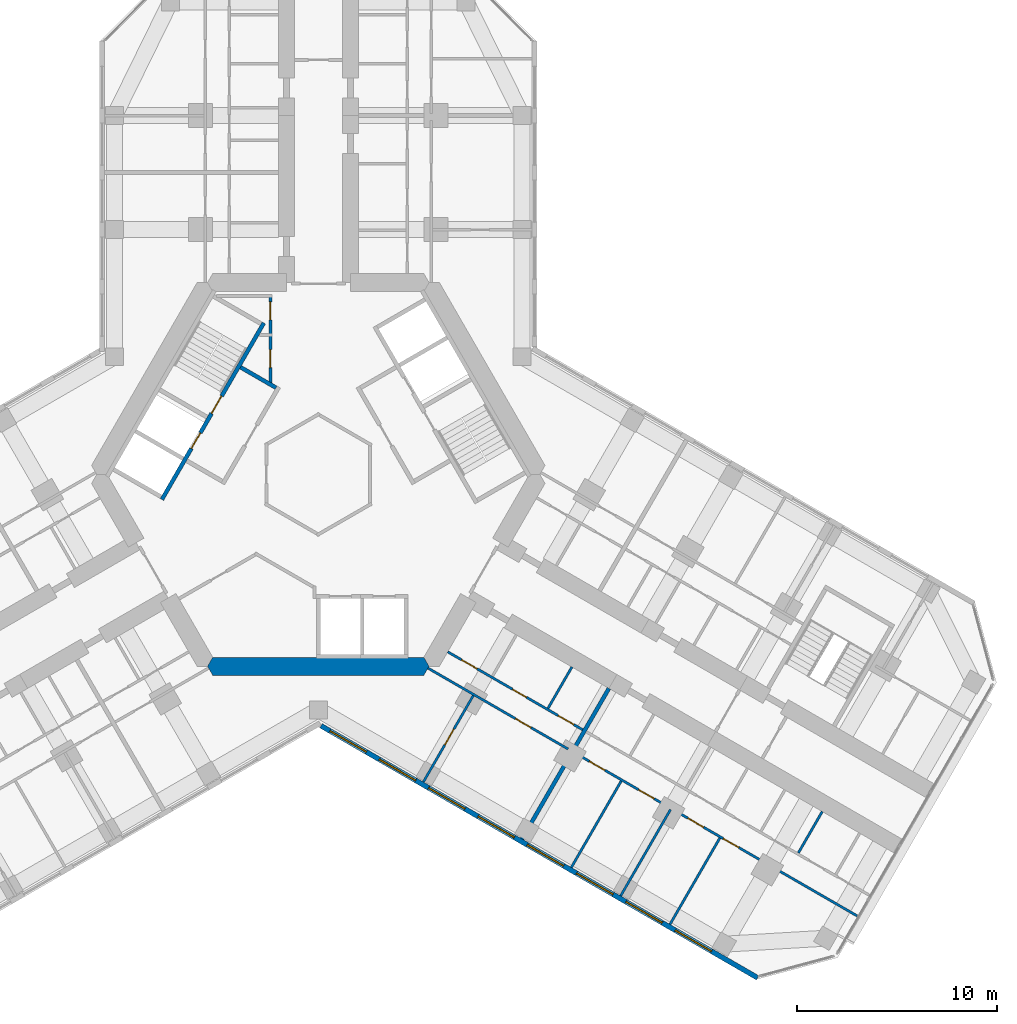
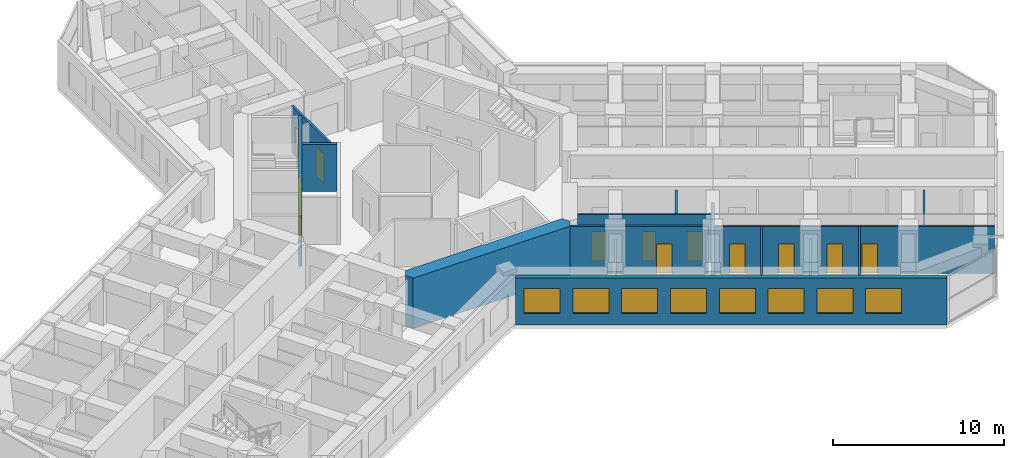
# One storey, part 13 of 19: 15 walls, 13 doors, 8 windows, 21 openings.
"""IFC4 building model written with IfcOpenShell, lengths in metres."""

from ifc_helpers import new_model, si_unit, direction, frame, frame_2d, origin, place, context, subcontext, project, spatial, polyline, rectangle, outline, extrude, material, layer, layer_set, type_object, element, fill, save


model = new_model("IFC4")

# Units and contexts
model_context = context("Model", 3, precision=1e-05, world=origin(), true_north=direction((0.0, 1.0)))
body_context = subcontext(model_context, "Body", "Model", "MODEL_VIEW")
ifc_project = project(units=[si_unit("LENGTHUNIT", "METRE"), si_unit("AREAUNIT", "SQUARE_METRE"), si_unit("VOLUMEUNIT", "CUBIC_METRE"), si_unit("PLANEANGLEUNIT", "RADIAN"), si_unit("MASSUNIT", "GRAM", prefix="KILO")], contexts=[model_context])

# Site, building, storey
site_placement = place(None, origin())
site = spatial("IfcSite", under=ifc_project, at=site_placement, CompositionType="ELEMENT")
building_placement = place(site_placement, origin())
building = spatial("IfcBuilding", under=site, at=building_placement, Name="Kosmar Iwan School Tower", CompositionType="ELEMENT")
storey_placement = place(building_placement, frame((0.0, 0.0, 134.60009765625)))
storey = spatial("IfcBuildingStorey", under=building, at=storey_placement, Name="L33", CompositionType="ELEMENT", Elevation=134.60009765625)

# Wall, openings, doors
ifc_material_1 = material(Name="Gypsum board on steel studs, fire-rated", Category="steel")
ifc_layer_1 = layer(ifc_material_1, 0.14990234375)
ifc_layer_set_1 = layer_set([ifc_layer_1], Name="Core room partition 150")
wall_type_1 = type_object("IfcWallType", Name="Core room partition 150", PredefinedType="PARTITIONING", material=ifc_layer_set_1)
wall_1_placement = place(storey_placement, frame((-2.39990234375, 9.014892578125, 0.0), z_axis=(0.0, 0.0, 1.0), x_axis=(0.0, -1.0, 0.0)))
wall_1 = element("IfcWall", 1, at=wall_1_placement, inside=storey, type_object=wall_type_1, Name="Core room partition L33-CW1", PredefinedType="PARTITIONING", context=body_context, shape_type="SweptSolid", body=[
    extrude(rectangle(XDim=4.484130859375, YDim=0.14990234375, at=frame_2d((2.2421875, 0.0))), origin(), (0.0, 0.0, 1.0), 3.349853515625),
])
opening_1_placement = place(wall_1_placement, frame((0.375, 0.0, 0.0)))
opening_1 = element("IfcOpeningElement", 2, at=opening_1_placement, cuts=wall_1, Name="Opening D14", PredefinedType="OPENING", context=body_context, shape_type="SweptSolid", body=[
    extrude(rectangle(XDim=0.89990234375, YDim=2.10009765625, at=frame_2d((0.449951171875, 1.050048828125))), frame((0.0, 0.0869140625, 0.0), z_axis=(0.0, -1.0, 0.0), x_axis=(1.0, 0.0, 0.0)), (0.0, 0.0, 1.0), 0.173828125),
])
opening_2_placement = place(wall_1_placement, frame((2.77490234375, 0.0, 0.0)))
opening_2 = element("IfcOpeningElement", 3, at=opening_2_placement, cuts=wall_1, Name="Opening D14", PredefinedType="OPENING", context=body_context, shape_type="SweptSolid", body=[
    extrude(rectangle(XDim=0.89990234375, YDim=2.10009765625, at=frame_2d((0.449951171875, 1.050048828125))), frame((0.0, 0.0869140625, 0.0), z_axis=(0.0, -1.0, 0.0), x_axis=(1.0, 0.0, 0.0)), (0.0, 0.0, 1.0), 0.173828125),
])
ifc_material_2 = material(Name="Timber fire door in steel frame", Category="steel")
door_type_1 = type_object("IfcDoorType", Name="Core room door 900x2100", OperationType="SINGLE_SWING_LEFT", PredefinedType="DOOR", material=ifc_material_2)
door_1_placement = place(opening_1_placement, origin())
door_1 = element("IfcDoor", 4, at=door_1_placement, inside=storey, type_object=door_type_1, Name="Electrical riser and switch room door L33 1", OperationType="SINGLE_SWING_LEFT", OverallHeight=2.10009765625, OverallWidth=0.89990234375, PredefinedType="DOOR", context=body_context, shape_type="SweptSolid", body=[
    extrude(rectangle(XDim=0.89990234375, YDim=2.10009765625, at=frame_2d((0.449951171875, 1.050048828125))), frame((0.0, 0.02490234375, 0.0), z_axis=(0.0, -1.0, 0.0), x_axis=(1.0, 0.0, 0.0)), (0.0, 0.0, 1.0), 0.050048828125),
])
fill(opening_1, door_1)
door_2_placement = place(opening_2_placement, origin())
door_2 = element("IfcDoor", 5, at=door_2_placement, inside=storey, type_object=door_type_1, Name="Plumbing and wet riser door L33 2", OperationType="SINGLE_SWING_RIGHT", OverallHeight=2.10009765625, OverallWidth=0.89990234375, PredefinedType="DOOR", context=body_context, shape_type="SweptSolid", body=[
    extrude(rectangle(XDim=0.89990234375, YDim=2.10009765625, at=frame_2d((0.449951171875, 1.050048828125))), frame((0.0, 0.02490234375, 0.0), z_axis=(0.0, -1.0, 0.0), x_axis=(1.0, 0.0, 0.0)), (0.0, 0.0, 1.0), 0.050048828125),
])
fill(opening_2, door_2)

# Wall
ifc_material_3 = material(Name="Concrete C50/60", Category="concrete")
ifc_layer_2 = layer(ifc_material_3, 0.89990234375)
ifc_layer_set_2 = layer_set([ifc_layer_2], Name="Core wall 900")
wall_type_2 = type_object("IfcWallType", Name="Core wall 900", PredefinedType="SHEAR", material=ifc_layer_set_2)
wall_2_placement = place(storey_placement, origin())
element("IfcWall", 6, at=wall_2_placement, inside=storey, type_object=wall_type_2, Name="Core wall F270", PredefinedType="SHEAR", context=body_context, shape_type="SweptSolid", body=[
    extrude(outline(polyline([(-5.28271484375, -10.050048828125), (5.28271484375, -10.050048828125), (5.54248046875, -9.60009765625), (5.28271484375, -9.14990234375), (-5.28271484375, -9.14990234375), (-5.54248046875, -9.60009765625), (-5.28271484375, -10.050048828125)])), origin(), (0.0, 0.0, 1.0), 3.599853515625),
])

# Wall, openings, doors
ifc_material_4 = material(Name="Gypsum board on steel studs", Category="steel")
ifc_layer_3 = layer(ifc_material_4, 0.1201171875)
ifc_layer_set_3 = layer_set([ifc_layer_3], Name="Dwelling partition 120")
wall_type_3 = type_object("IfcWallType", Name="Dwelling partition 120", PredefinedType="PARTITIONING", material=ifc_layer_set_3)
wall_3_placement = place(storey_placement, frame((6.478515625, -8.87890625, 0.0), z_axis=(0.0, 0.0, 1.0), x_axis=(0.866034953203, -0.499983459557, 0.0)))
wall_3 = element("IfcWall", 7, at=wall_3_placement, inside=storey, type_object=wall_type_3, Name="Partition L33-CR1-W1", PredefinedType="PARTITIONING", context=body_context, shape_type="SweptSolid", body=[
    extrude(rectangle(XDim=7.800048828125, YDim=0.1201171875, at=frame_2d((3.89990234375, 0.0))), origin(), (0.0, 0.0, 1.0), 3.349853515625),
])
opening_3_placement = place(wall_3_placement, frame((0.800048828125, 0.0, 0.0)))
opening_3 = element("IfcOpeningElement", 8, at=opening_3_placement, cuts=wall_3, Name="Opening D2", PredefinedType="OPENING", context=body_context, shape_type="SweptSolid", body=[
    extrude(rectangle(XDim=0.89990234375, YDim=2.10009765625, at=frame_2d((0.449951171875, 1.050048828125))), frame((0.0, 0.072021484375, 0.0), z_axis=(0.0, -1.0, 0.0), x_axis=(1.0, 0.0, 0.0)), (0.0, 0.0, 1.0), 0.14404296875),
])
opening_4_placement = place(wall_3_placement, frame((3.755126953125, 0.0, 0.0)))
opening_4 = element("IfcOpeningElement", 9, at=opening_4_placement, cuts=wall_3, Name="Opening D3", PredefinedType="OPENING", context=body_context, shape_type="SweptSolid", body=[
    extrude(rectangle(XDim=0.800048828125, YDim=2.10009765625, at=frame_2d((0.39990234375, 1.050048828125))), frame((0.0, 0.072021484375, 0.0), z_axis=(0.0, -1.0, 0.0), x_axis=(1.0, 0.0, 0.0)), (0.0, 0.0, 1.0), 0.14404296875),
])
opening_5_placement = place(wall_3_placement, frame((6.380126953125, 0.0, 0.0)))
opening_5 = element("IfcOpeningElement", 10, at=opening_5_placement, cuts=wall_3, Name="Opening D2", PredefinedType="OPENING", context=body_context, shape_type="SweptSolid", body=[
    extrude(rectangle(XDim=0.89990234375, YDim=2.10009765625, at=frame_2d((0.449951171875, 1.050048828125))), frame((0.0, 0.072021484375, 0.0), z_axis=(0.0, -1.0, 0.0), x_axis=(1.0, 0.0, 0.0)), (0.0, 0.0, 1.0), 0.14404296875),
])
ifc_material_5 = material(Name="Timber door in timber frame", Category="wood")
door_type_2 = type_object("IfcDoorType", Name="Internal door 900x2100", OperationType="SINGLE_SWING_LEFT", PredefinedType="DOOR", material=ifc_material_5)
door_3_placement = place(opening_3_placement, origin())
door_3 = element("IfcDoor", 11, at=door_3_placement, inside=storey, type_object=door_type_2, Name="Entrance hall door L33-CR1-S1", OperationType="SINGLE_SWING_RIGHT", OverallHeight=2.10009765625, OverallWidth=0.89990234375, PredefinedType="DOOR", context=body_context, shape_type="SweptSolid", body=[
    extrude(rectangle(XDim=0.89990234375, YDim=2.10009765625, at=frame_2d((0.449951171875, 1.050048828125))), frame((0.0, 0.02490234375, 0.0), z_axis=(0.0, -1.0, 0.0), x_axis=(1.0, 0.0, 0.0)), (0.0, 0.0, 1.0), 0.050048828125),
])
fill(opening_3, door_3)
door_4_placement = place(opening_5_placement, origin())
door_4 = element("IfcDoor", 12, at=door_4_placement, inside=storey, type_object=door_type_2, Name="Pantry door L33-CR1-S3", OperationType="SINGLE_SWING_RIGHT", OverallHeight=2.10009765625, OverallWidth=0.89990234375, PredefinedType="DOOR", context=body_context, shape_type="SweptSolid", body=[
    extrude(rectangle(XDim=0.89990234375, YDim=2.10009765625, at=frame_2d((0.449951171875, 1.050048828125))), frame((0.0, 0.02490234375, 0.0), z_axis=(0.0, -1.0, 0.0), x_axis=(1.0, 0.0, 0.0)), (0.0, 0.0, 1.0), 0.050048828125),
])
fill(opening_5, door_4)
ifc_material_6 = material(Name="Timber door in timber frame", Category="wood")
door_type_3 = type_object("IfcDoorType", Name="Sanitary room door 800x2100", OperationType="SINGLE_SWING_LEFT", PredefinedType="DOOR", material=ifc_material_6)
door_5_placement = place(opening_4_placement, origin())
door_5 = element("IfcDoor", 13, at=door_5_placement, inside=storey, type_object=door_type_3, Name="Bathroom door L33-CR1-S2", OperationType="SINGLE_SWING_LEFT", OverallHeight=2.10009765625, OverallWidth=0.800048828125, PredefinedType="DOOR", context=body_context, shape_type="SweptSolid", body=[
    extrude(rectangle(XDim=0.800048828125, YDim=2.10009765625, at=frame_2d((0.39990234375, 1.050048828125))), frame((0.0, 0.02490234375, 0.0), z_axis=(0.0, -1.0, 0.0), x_axis=(1.0, 0.0, 0.0)), (0.0, 0.0, 1.0), 0.050048828125),
])
fill(opening_4, door_5)

# Wall, opening, door
wall_4_placement = place(storey_placement, frame((5.48876953125, -9.693115234375, 0.0), z_axis=(0.0, 0.0, 1.0), x_axis=(0.866025472755, -0.499999880539, 0.0)))
wall_4 = element("IfcWall", 14, at=wall_4_placement, inside=storey, type_object=wall_type_3, Name="Partition L33-CR1-W2", PredefinedType="PARTITIONING", context=body_context, shape_type="SweptSolid", body=[
    extrude(rectangle(XDim=8.10009765625, YDim=0.1201171875, at=frame_2d((4.050048828125, 0.0))), origin(), (0.0, 0.0, 1.0), 3.349853515625),
])
opening_6_placement = place(wall_4_placement, frame((5.050048828125, 0.0, 0.0)))
opening_6 = element("IfcOpeningElement", 15, at=opening_6_placement, cuts=wall_4, Name="Opening D2", PredefinedType="OPENING", context=body_context, shape_type="SweptSolid", body=[
    extrude(rectangle(XDim=0.89990234375, YDim=2.10009765625, at=frame_2d((0.449951171875, 1.050048828125))), frame((0.0, 0.072021484375, 0.0), z_axis=(0.0, -1.0, 0.0), x_axis=(1.0, 0.0, 0.0)), (0.0, 0.0, 1.0), 0.14404296875),
])
door_6_placement = place(opening_6_placement, origin())
door_6 = element("IfcDoor", 16, at=door_6_placement, inside=storey, type_object=door_type_2, Name="Studio living room door L33-CR1-F2", OperationType="SINGLE_SWING_RIGHT", OverallHeight=2.10009765625, OverallWidth=0.89990234375, PredefinedType="DOOR", context=body_context, shape_type="SweptSolid", body=[
    extrude(rectangle(XDim=0.89990234375, YDim=2.10009765625, at=frame_2d((0.449951171875, 1.050048828125))), frame((0.0, 0.02490234375, 0.0), z_axis=(0.0, -1.0, 0.0), x_axis=(1.0, 0.0, 0.0)), (0.0, 0.0, 1.0), 0.050048828125),
])
fill(opening_6, door_6)

wall_5_placement = place(storey_placement, frame((7.75390625, -11.070068359375, 0.0), z_axis=(0.0, 0.0, 1.0), x_axis=(-0.500011847778, -0.866018563358, 0.0)))
wall_5 = element("IfcWall", 17, at=wall_5_placement, inside=storey, type_object=wall_type_3, Name="Partition L33-CR1-X1", PredefinedType="PARTITIONING", context=body_context, shape_type="SweptSolid", body=[
    extrude(rectangle(XDim=4.990234375, YDim=0.1201171875, at=frame_2d((2.4951171875, 0.0))), origin(), (0.0, 0.0, 1.0), 2.449951171875),
])
opening_7_placement = place(wall_5_placement, frame((1.93994140625, 0.0, 0.0)))
opening_7 = element("IfcOpeningElement", 18, at=opening_7_placement, cuts=wall_5, Name="Opening D2", PredefinedType="OPENING", context=body_context, shape_type="SweptSolid", body=[
    extrude(rectangle(XDim=0.89990234375, YDim=2.10009765625, at=frame_2d((0.449951171875, 1.050048828125))), frame((0.0, 0.072021484375, 0.0), z_axis=(0.0, -1.0, 0.0), x_axis=(1.0, 0.0, 0.0)), (0.0, 0.0, 1.0), 0.14404296875),
])
door_7_placement = place(opening_7_placement, origin())
door_7 = element("IfcDoor", 19, at=door_7_placement, inside=storey, type_object=door_type_2, Name="Kitchen and dining room door L33-CR1-F1", OperationType="SINGLE_SWING_LEFT", OverallHeight=2.10009765625, OverallWidth=0.89990234375, PredefinedType="DOOR", context=body_context, shape_type="SweptSolid", body=[
    extrude(rectangle(XDim=0.89990234375, YDim=2.10009765625, at=frame_2d((0.449951171875, 1.050048828125))), frame((0.0, 0.02490234375, 0.0), z_axis=(0.0, -1.0, 0.0), x_axis=(1.0, 0.0, 0.0)), (0.0, 0.0, 1.0), 0.050048828125),
])
fill(opening_7, door_7)

# Wall
wall_6_placement = place(storey_placement, frame((12.69189453125, -9.636962890625, 0.0), z_axis=(0.0, 0.0, 1.0), x_axis=(-0.500017192868, -0.86601547725, 0.0)))
element("IfcWall", 20, at=wall_6_placement, inside=storey, type_object=wall_type_3, Name="Partition L33-CR1-Y2", PredefinedType="PARTITIONING", context=body_context, shape_type="SweptSolid", body=[
    extrude(rectangle(XDim=2.39013671875, YDim=0.1201171875, at=frame_2d((1.195068359375, 0.0))), origin(), (0.0, 0.0, 1.0), 3.349853515625),
])

# Wall, openings, doors
wall_7_placement = place(storey_placement, frame((12.806640625, -13.91796875, 0.0), z_axis=(0.0, 0.0, 1.0), x_axis=(0.866023907196, -0.500002592159, 0.0)))
wall_7 = element("IfcWall", 21, at=wall_7_placement, inside=storey, type_object=wall_type_3, Name="Partition L33-CR2-W2", PredefinedType="PARTITIONING", context=body_context, shape_type="SweptSolid", body=[
    extrude(rectangle(XDim=16.34521484375, YDim=0.1201171875, at=frame_2d((8.172607421875, 0.0))), origin(), (0.0, 0.0, 1.0), 3.349853515625),
])
opening_8_placement = place(wall_7_placement, frame((0.875, 0.0, 0.0)))
opening_8 = element("IfcOpeningElement", 22, at=opening_8_placement, cuts=wall_7, Name="Opening D2", PredefinedType="OPENING", context=body_context, shape_type="SweptSolid", body=[
    extrude(rectangle(XDim=0.89990234375, YDim=2.10009765625, at=frame_2d((0.449951171875, 1.050048828125))), frame((0.0, 0.072021484375, 0.0), z_axis=(0.0, -1.0, 0.0), x_axis=(1.0, 0.0, 0.0)), (0.0, 0.0, 1.0), 0.14404296875),
])
opening_9_placement = place(wall_7_placement, frame((3.72509765625, 0.0, 0.0)))
opening_9 = element("IfcOpeningElement", 23, at=opening_9_placement, cuts=wall_7, Name="Opening D2", PredefinedType="OPENING", context=body_context, shape_type="SweptSolid", body=[
    extrude(rectangle(XDim=0.89990234375, YDim=2.10009765625, at=frame_2d((0.449951171875, 1.050048828125))), frame((0.0, 0.072021484375, 0.0), z_axis=(0.0, -1.0, 0.0), x_axis=(1.0, 0.0, 0.0)), (0.0, 0.0, 1.0), 0.14404296875),
])
opening_10_placement = place(wall_7_placement, frame((6.574951171875, 0.0, 0.0)))
opening_10 = element("IfcOpeningElement", 24, at=opening_10_placement, cuts=wall_7, Name="Opening D2", PredefinedType="OPENING", context=body_context, shape_type="SweptSolid", body=[
    extrude(rectangle(XDim=0.89990234375, YDim=2.10009765625, at=frame_2d((0.449951171875, 1.050048828125))), frame((0.0, 0.072021484375, 0.0), z_axis=(0.0, -1.0, 0.0), x_axis=(1.0, 0.0, 0.0)), (0.0, 0.0, 1.0), 0.14404296875),
])
opening_11_placement = place(wall_7_placement, frame((8.610107421875, 0.0, 0.0)))
opening_11 = element("IfcOpeningElement", 25, at=opening_11_placement, cuts=wall_7, Name="Opening D2", PredefinedType="OPENING", context=body_context, shape_type="SweptSolid", body=[
    extrude(rectangle(XDim=0.89990234375, YDim=2.10009765625, at=frame_2d((0.449951171875, 1.050048828125))), frame((0.0, 0.072021484375, 0.0), z_axis=(0.0, -1.0, 0.0), x_axis=(1.0, 0.0, 0.0)), (0.0, 0.0, 1.0), 0.14404296875),
])
door_8_placement = place(opening_8_placement, origin())
door_8 = element("IfcDoor", 26, at=door_8_placement, inside=storey, type_object=door_type_2, Name="Bedroom 1 door L33-CR2-F1", OperationType="SINGLE_SWING_LEFT", OverallHeight=2.10009765625, OverallWidth=0.89990234375, PredefinedType="DOOR", context=body_context, shape_type="SweptSolid", body=[
    extrude(rectangle(XDim=0.89990234375, YDim=2.10009765625, at=frame_2d((0.449951171875, 1.050048828125))), frame((0.0, 0.02490234375, 0.0), z_axis=(0.0, -1.0, 0.0), x_axis=(1.0, 0.0, 0.0)), (0.0, 0.0, 1.0), 0.050048828125),
])
fill(opening_8, door_8)
door_9_placement = place(opening_9_placement, origin())
door_9 = element("IfcDoor", 27, at=door_9_placement, inside=storey, type_object=door_type_2, Name="Kitchen and dining room door L33-CR2-F2", OperationType="SINGLE_SWING_LEFT", OverallHeight=2.10009765625, OverallWidth=0.89990234375, PredefinedType="DOOR", context=body_context, shape_type="SweptSolid", body=[
    extrude(rectangle(XDim=0.89990234375, YDim=2.10009765625, at=frame_2d((0.449951171875, 1.050048828125))), frame((0.0, 0.02490234375, 0.0), z_axis=(0.0, -1.0, 0.0), x_axis=(1.0, 0.0, 0.0)), (0.0, 0.0, 1.0), 0.050048828125),
])
fill(opening_9, door_9)
door_10_placement = place(opening_10_placement, origin())
door_10 = element("IfcDoor", 28, at=door_10_placement, inside=storey, type_object=door_type_2, Name="Guest reception room door L33-CR2-F3", OperationType="SINGLE_SWING_LEFT", OverallHeight=2.10009765625, OverallWidth=0.89990234375, PredefinedType="DOOR", context=body_context, shape_type="SweptSolid", body=[
    extrude(rectangle(XDim=0.89990234375, YDim=2.10009765625, at=frame_2d((0.449951171875, 1.050048828125))), frame((0.0, 0.02490234375, 0.0), z_axis=(0.0, -1.0, 0.0), x_axis=(1.0, 0.0, 0.0)), (0.0, 0.0, 1.0), 0.050048828125),
])
fill(opening_10, door_10)
door_11_placement = place(opening_11_placement, origin())
door_11 = element("IfcDoor", 29, at=door_11_placement, inside=storey, type_object=door_type_2, Name="Living room door L33-CR2-F4", OperationType="SINGLE_SWING_RIGHT", OverallHeight=2.10009765625, OverallWidth=0.89990234375, PredefinedType="DOOR", context=body_context, shape_type="SweptSolid", body=[
    extrude(rectangle(XDim=0.89990234375, YDim=2.10009765625, at=frame_2d((0.449951171875, 1.050048828125))), frame((0.0, 0.02490234375, 0.0), z_axis=(0.0, -1.0, 0.0), x_axis=(1.0, 0.0, 0.0)), (0.0, 0.0, 1.0), 0.050048828125),
])
fill(opening_11, door_11)

# Walls
wall_8_placement = place(storey_placement, frame((15.158447265625, -15.344970703125, 0.0), z_axis=(0.0, 0.0, 1.0), x_axis=(-0.500011847778, -0.866018563358, 0.0)))
element("IfcWall", 30, at=wall_8_placement, inside=storey, type_object=wall_type_3, Name="Partition L33-CR2-X1", PredefinedType="PARTITIONING", context=body_context, shape_type="SweptSolid", body=[
    extrude(rectangle(XDim=4.990234375, YDim=0.1201171875, at=frame_2d((2.4951171875, 0.0))), origin(), (0.0, 0.0, 1.0), 3.349853515625),
])
wall_9_placement = place(storey_placement, frame((17.62646484375, -16.77001953125, 0.0), z_axis=(0.0, 0.0, 1.0), x_axis=(-0.499975153383, -0.86603974851, 0.0)))
element("IfcWall", 31, at=wall_9_placement, inside=storey, type_object=wall_type_3, Name="Partition L33-CR2-X2", PredefinedType="PARTITIONING", context=body_context, shape_type="SweptSolid", body=[
    extrude(rectangle(XDim=4.989990234375, YDim=0.1201171875, at=frame_2d((2.4951171875, 0.0))), origin(), (0.0, 0.0, 1.0), 2.449951171875),
])
wall_10_placement = place(storey_placement, frame((20.0947265625, -18.195068359375, 0.0), z_axis=(0.0, 0.0, 1.0), x_axis=(-0.500011847778, -0.866018563358, 0.0)))
element("IfcWall", 32, at=wall_10_placement, inside=storey, type_object=wall_type_3, Name="Partition L33-CR2-X3", PredefinedType="PARTITIONING", context=body_context, shape_type="SweptSolid", body=[
    extrude(rectangle(XDim=4.990234375, YDim=0.1201171875, at=frame_2d((2.4951171875, 0.0))), origin(), (0.0, 0.0, 1.0), 3.349853515625),
])
wall_11_placement = place(storey_placement, frame((25.220703125, -16.87060546875, 0.0), z_axis=(0.0, 0.0, 1.0), x_axis=(-0.500017192868, -0.86601547725, 0.0)))
element("IfcWall", 33, at=wall_11_placement, inside=storey, type_object=wall_type_3, Name="Partition L33-CR2-Y5", PredefinedType="PARTITIONING", context=body_context, shape_type="SweptSolid", body=[
    extrude(rectangle(XDim=2.39013671875, YDim=0.1201171875, at=frame_2d((1.195068359375, 0.0))), origin(), (0.0, 0.0, 1.0), 3.349853515625),
])

# Wall, openings, windows
ifc_material_7 = material(Name="Black aluminium rainscreen on insulated framing", Category="aluminium")
ifc_layer_4 = layer(ifc_material_7, 0.25)
ifc_layer_set_4 = layer_set([ifc_layer_4], Name="External wall rainscreen 250")
wall_type_4 = type_object("IfcWallType", Name="External wall rainscreen 250", PredefinedType="SOLIDWALL", material=ifc_layer_set_4)
wall_12_placement = place(storey_placement, frame((0.137939453125, -12.5791015625, 0.0), z_axis=(0.0, 0.0, 1.0), x_axis=(0.866023775649, -0.500002820003, 0.0)))
wall_12 = element("IfcWall", 34, at=wall_12_placement, inside=storey, type_object=wall_type_4, Name="External wall CR L33", PredefinedType="SOLIDWALL", context=body_context, shape_type="SweptSolid", body=[
    extrude(rectangle(XDim=25.226318359375, YDim=0.25, at=frame_2d((12.61328125, 0.0))), origin(), (0.0, 0.0, 1.0), 3.349853515625),
])
opening_12_placement = place(wall_12_placement, frame((0.51611328125, 0.0, 0.800048828125)))
opening_12 = element("IfcOpeningElement", 35, at=opening_12_placement, cuts=wall_12, Name="Opening W4", PredefinedType="OPENING", context=body_context, shape_type="SweptSolid", body=[
    extrude(rectangle(XDim=2.10009765625, YDim=1.800048828125, at=frame_2d((1.050048828125, 0.89990234375))), frame((0.0, 0.136962890625, 0.0), z_axis=(0.0, -1.0, 0.0), x_axis=(1.0, 0.0, 0.0)), (0.0, 0.0, 1.0), 0.27392578125),
])
opening_13_placement = place(wall_12_placement, frame((3.365966796875, 0.0, 0.800048828125)))
opening_13 = element("IfcOpeningElement", 36, at=opening_13_placement, cuts=wall_12, Name="Opening W4", PredefinedType="OPENING", context=body_context, shape_type="SweptSolid", body=[
    extrude(rectangle(XDim=2.10009765625, YDim=1.800048828125, at=frame_2d((1.050048828125, 0.89990234375))), frame((0.0, 0.136962890625, 0.0), z_axis=(0.0, -1.0, 0.0), x_axis=(1.0, 0.0, 0.0)), (0.0, 0.0, 1.0), 0.27392578125),
])
opening_14_placement = place(wall_12_placement, frame((6.216064453125, 0.0, 0.800048828125)))
opening_14 = element("IfcOpeningElement", 37, at=opening_14_placement, cuts=wall_12, Name="Opening W4", PredefinedType="OPENING", context=body_context, shape_type="SweptSolid", body=[
    extrude(rectangle(XDim=2.10009765625, YDim=1.800048828125, at=frame_2d((1.050048828125, 0.89990234375))), frame((0.0, 0.136962890625, 0.0), z_axis=(0.0, -1.0, 0.0), x_axis=(1.0, 0.0, 0.0)), (0.0, 0.0, 1.0), 0.27392578125),
])
opening_15_placement = place(wall_12_placement, frame((9.06591796875, 0.0, 0.800048828125)))
opening_15 = element("IfcOpeningElement", 38, at=opening_15_placement, cuts=wall_12, Name="Opening W4", PredefinedType="OPENING", context=body_context, shape_type="SweptSolid", body=[
    extrude(rectangle(XDim=2.10009765625, YDim=1.800048828125, at=frame_2d((1.050048828125, 0.89990234375))), frame((0.0, 0.136962890625, 0.0), z_axis=(0.0, -1.0, 0.0), x_axis=(1.0, 0.0, 0.0)), (0.0, 0.0, 1.0), 0.27392578125),
])
opening_16_placement = place(wall_12_placement, frame((11.916015625, 0.0, 0.800048828125)))
opening_16 = element("IfcOpeningElement", 39, at=opening_16_placement, cuts=wall_12, Name="Opening W4", PredefinedType="OPENING", context=body_context, shape_type="SweptSolid", body=[
    extrude(rectangle(XDim=2.10009765625, YDim=1.800048828125, at=frame_2d((1.050048828125, 0.89990234375))), frame((0.0, 0.136962890625, 0.0), z_axis=(0.0, -1.0, 0.0), x_axis=(1.0, 0.0, 0.0)), (0.0, 0.0, 1.0), 0.27392578125),
])
opening_17_placement = place(wall_12_placement, frame((14.76611328125, 0.0, 0.800048828125)))
opening_17 = element("IfcOpeningElement", 40, at=opening_17_placement, cuts=wall_12, Name="Opening W4", PredefinedType="OPENING", context=body_context, shape_type="SweptSolid", body=[
    extrude(rectangle(XDim=2.10009765625, YDim=1.800048828125, at=frame_2d((1.050048828125, 0.89990234375))), frame((0.0, 0.136962890625, 0.0), z_axis=(0.0, -1.0, 0.0), x_axis=(1.0, 0.0, 0.0)), (0.0, 0.0, 1.0), 0.27392578125),
])
opening_18_placement = place(wall_12_placement, frame((17.615966796875, 0.0, 0.800048828125)))
opening_18 = element("IfcOpeningElement", 41, at=opening_18_placement, cuts=wall_12, Name="Opening W4", PredefinedType="OPENING", context=body_context, shape_type="SweptSolid", body=[
    extrude(rectangle(XDim=2.10009765625, YDim=1.800048828125, at=frame_2d((1.050048828125, 0.89990234375))), frame((0.0, 0.136962890625, 0.0), z_axis=(0.0, -1.0, 0.0), x_axis=(1.0, 0.0, 0.0)), (0.0, 0.0, 1.0), 0.27392578125),
])
opening_19_placement = place(wall_12_placement, frame((20.466064453125, 0.0, 0.800048828125)))
opening_19 = element("IfcOpeningElement", 42, at=opening_19_placement, cuts=wall_12, Name="Opening W4", PredefinedType="OPENING", context=body_context, shape_type="SweptSolid", body=[
    extrude(rectangle(XDim=2.10009765625, YDim=1.800048828125, at=frame_2d((1.050048828125, 0.89990234375))), frame((0.0, 0.136962890625, 0.0), z_axis=(0.0, -1.0, 0.0), x_axis=(1.0, 0.0, 0.0)), (0.0, 0.0, 1.0), 0.27392578125),
])
ifc_material_8 = material(Name="Black aluminium frame with dark triple glazing", Category="aluminium")
window_type = type_object("IfcWindowType", Name="Window 2100x1800", PartitioningType="SINGLE_PANEL", PredefinedType="WINDOW", material=ifc_material_8)
window_1_placement = place(opening_12_placement, origin())
window_1 = element("IfcWindow", 43, at=window_1_placement, inside=storey, type_object=window_type, Name="Window CR L33 -1", OverallHeight=1.800048828125, OverallWidth=2.10009765625, PartitioningType="SINGLE_PANEL", PredefinedType="WINDOW", context=body_context, shape_type="SweptSolid", body=[
    extrude(rectangle(XDim=2.10009765625, YDim=1.800048828125, at=frame_2d((1.050048828125, 0.89990234375))), frame((0.0, 0.030029296875, 0.0), z_axis=(0.0, -1.0, 0.0), x_axis=(1.0, 0.0, 0.0)), (0.0, 0.0, 1.0), 0.06005859375),
])
fill(opening_12, window_1)
window_2_placement = place(opening_13_placement, origin())
window_2 = element("IfcWindow", 44, at=window_2_placement, inside=storey, type_object=window_type, Name="Window CR L33 0", OverallHeight=1.800048828125, OverallWidth=2.10009765625, PartitioningType="SINGLE_PANEL", PredefinedType="WINDOW", context=body_context, shape_type="SweptSolid", body=[
    extrude(rectangle(XDim=2.10009765625, YDim=1.800048828125, at=frame_2d((1.050048828125, 0.89990234375))), frame((0.0, 0.030029296875, 0.0), z_axis=(0.0, -1.0, 0.0), x_axis=(1.0, 0.0, 0.0)), (0.0, 0.0, 1.0), 0.06005859375),
])
fill(opening_13, window_2)
window_3_placement = place(opening_14_placement, origin())
window_3 = element("IfcWindow", 45, at=window_3_placement, inside=storey, type_object=window_type, Name="Window CR L33 1", OverallHeight=1.800048828125, OverallWidth=2.10009765625, PartitioningType="SINGLE_PANEL", PredefinedType="WINDOW", context=body_context, shape_type="SweptSolid", body=[
    extrude(rectangle(XDim=2.10009765625, YDim=1.800048828125, at=frame_2d((1.050048828125, 0.89990234375))), frame((0.0, 0.030029296875, 0.0), z_axis=(0.0, -1.0, 0.0), x_axis=(1.0, 0.0, 0.0)), (0.0, 0.0, 1.0), 0.06005859375),
])
fill(opening_14, window_3)
window_4_placement = place(opening_15_placement, origin())
window_4 = element("IfcWindow", 46, at=window_4_placement, inside=storey, type_object=window_type, Name="Window CR L33 2", OverallHeight=1.800048828125, OverallWidth=2.10009765625, PartitioningType="SINGLE_PANEL", PredefinedType="WINDOW", context=body_context, shape_type="SweptSolid", body=[
    extrude(rectangle(XDim=2.10009765625, YDim=1.800048828125, at=frame_2d((1.050048828125, 0.89990234375))), frame((0.0, 0.030029296875, 0.0), z_axis=(0.0, -1.0, 0.0), x_axis=(1.0, 0.0, 0.0)), (0.0, 0.0, 1.0), 0.06005859375),
])
fill(opening_15, window_4)
window_5_placement = place(opening_16_placement, origin())
window_5 = element("IfcWindow", 47, at=window_5_placement, inside=storey, type_object=window_type, Name="Window CR L33 3", OverallHeight=1.800048828125, OverallWidth=2.10009765625, PartitioningType="SINGLE_PANEL", PredefinedType="WINDOW", context=body_context, shape_type="SweptSolid", body=[
    extrude(rectangle(XDim=2.10009765625, YDim=1.800048828125, at=frame_2d((1.050048828125, 0.89990234375))), frame((0.0, 0.030029296875, 0.0), z_axis=(0.0, -1.0, 0.0), x_axis=(1.0, 0.0, 0.0)), (0.0, 0.0, 1.0), 0.06005859375),
])
fill(opening_16, window_5)
window_6_placement = place(opening_17_placement, origin())
window_6 = element("IfcWindow", 48, at=window_6_placement, inside=storey, type_object=window_type, Name="Window CR L33 4", OverallHeight=1.800048828125, OverallWidth=2.10009765625, PartitioningType="SINGLE_PANEL", PredefinedType="WINDOW", context=body_context, shape_type="SweptSolid", body=[
    extrude(rectangle(XDim=2.10009765625, YDim=1.800048828125, at=frame_2d((1.050048828125, 0.89990234375))), frame((0.0, 0.030029296875, 0.0), z_axis=(0.0, -1.0, 0.0), x_axis=(1.0, 0.0, 0.0)), (0.0, 0.0, 1.0), 0.06005859375),
])
fill(opening_17, window_6)
window_7_placement = place(opening_18_placement, origin())
window_7 = element("IfcWindow", 49, at=window_7_placement, inside=storey, type_object=window_type, Name="Window CR L33 5", OverallHeight=1.800048828125, OverallWidth=2.10009765625, PartitioningType="SINGLE_PANEL", PredefinedType="WINDOW", context=body_context, shape_type="SweptSolid", body=[
    extrude(rectangle(XDim=2.10009765625, YDim=1.800048828125, at=frame_2d((1.050048828125, 0.89990234375))), frame((0.0, 0.030029296875, 0.0), z_axis=(0.0, -1.0, 0.0), x_axis=(1.0, 0.0, 0.0)), (0.0, 0.0, 1.0), 0.06005859375),
])
fill(opening_18, window_7)
window_8_placement = place(opening_19_placement, origin())
window_8 = element("IfcWindow", 50, at=window_8_placement, inside=storey, type_object=window_type, Name="Window CR L33 6", OverallHeight=1.800048828125, OverallWidth=2.10009765625, PartitioningType="SINGLE_PANEL", PredefinedType="WINDOW", context=body_context, shape_type="SweptSolid", body=[
    extrude(rectangle(XDim=2.10009765625, YDim=1.800048828125, at=frame_2d((1.050048828125, 0.89990234375))), frame((0.0, 0.030029296875, 0.0), z_axis=(0.0, -1.0, 0.0), x_axis=(1.0, 0.0, 0.0)), (0.0, 0.0, 1.0), 0.06005859375),
])
fill(opening_19, window_8)

# Wall
ifc_material_9 = material(Name="Concrete block masonry", Category="masonry")
ifc_layer_5 = layer(ifc_material_9, 0.199951171875)
ifc_layer_set_5 = layer_set([ifc_layer_5], Name="Fire lobby wall 200")
wall_type_5 = type_object("IfcWallType", Name="Fire lobby wall 200", PredefinedType="PARTITIONING", material=ifc_layer_set_5)
wall_13_placement = place(storey_placement, frame((-2.114013671875, 4.33837890625, 0.0), z_axis=(0.0, 0.0, 1.0), x_axis=(-0.866050731258, 0.499956128963, 0.0)))
element("IfcWall", 51, at=wall_13_placement, inside=storey, type_object=wall_type_5, Name="Firefighting lobby wall ST2", PredefinedType="PARTITIONING", context=body_context, shape_type="SweptSolid", body=[
    extrude(rectangle(XDim=2.050048828125, YDim=0.199951171875, at=frame_2d((1.02490234375, 0.0))), origin(), (0.0, 0.0, 1.0), 3.349853515625),
])

# Wall, openings, doors
ifc_material_10 = material(Name="Concrete C50/60", Category="concrete")
ifc_layer_6 = layer(ifc_material_10, 0.199951171875)
ifc_layer_set_6 = layer_set([ifc_layer_6], Name="Lift shaft wall 200")
wall_type_6 = type_object("IfcWallType", Name="Lift shaft wall 200", PredefinedType="SHEAR", material=ifc_layer_set_6)
wall_14_placement = place(storey_placement, frame((-2.72607421875, 7.578369140625, 0.0), z_axis=(0.0, 0.0, 1.0), x_axis=(-0.500005610874, -0.86602216432, 0.0)))
wall_14 = element("IfcWall", 52, at=wall_14_placement, inside=storey, type_object=wall_type_6, Name="Lift and stair front wall AB", PredefinedType="SHEAR", context=body_context, shape_type="SweptSolid", body=[
    extrude(rectangle(XDim=10.2001953125, YDim=0.199951171875, at=frame_2d((5.10009765625, 0.0))), origin(), (0.0, 0.0, 1.0), 3.599853515625),
])
opening_20_placement = place(wall_14_placement, frame((6.35009765625, 0.0, 0.0)))
opening_20 = element("IfcOpeningElement", 53, at=opening_20_placement, cuts=wall_14, Name="Opening LD2", PredefinedType="OPENING", context=body_context, shape_type="SweptSolid", body=[
    extrude(rectangle(XDim=0.89990234375, YDim=2.10009765625, at=frame_2d((0.449951171875, 1.050048828125))), frame((0.0, 0.112060546875, 0.0), z_axis=(0.0, -1.0, 0.0), x_axis=(1.0, 0.0, 0.0)), (0.0, 0.0, 1.0), 0.223876953125),
])
opening_21_placement = place(wall_14_placement, frame((4.22998046875, 0.0, 0.0)))
opening_21 = element("IfcOpeningElement", 54, at=opening_21_placement, cuts=wall_14, Name="Opening D6", PredefinedType="OPENING", context=body_context, shape_type="SweptSolid", body=[
    extrude(rectangle(XDim=1.0, YDim=2.10009765625, at=frame_2d((0.5, 1.050048828125))), frame((0.0, 0.112060546875, 0.0), z_axis=(0.0, -1.0, 0.0), x_axis=(1.0, 0.0, 0.0)), (0.0, 0.0, 1.0), 0.223876953125),
])
ifc_material_11 = material(Name="Stainless steel sliding lift door", Category="steel")
door_type_4 = type_object("IfcDoorType", Name="Firefighting lift landing door 900x2100", OperationType="SLIDING_TO_LEFT", PredefinedType="DOOR", material=ifc_material_11)
door_12_placement = place(opening_20_placement, origin())
door_12 = element("IfcDoor", 55, at=door_12_placement, inside=storey, type_object=door_type_4, Name="Lift FF2 landing door L33", OperationType="SLIDING_TO_LEFT", OverallHeight=2.10009765625, OverallWidth=0.89990234375, PredefinedType="DOOR", context=body_context, shape_type="SweptSolid", body=[
    extrude(rectangle(XDim=0.89990234375, YDim=2.10009765625, at=frame_2d((0.449951171875, 1.050048828125))), frame((0.0, 0.02490234375, 0.0), z_axis=(0.0, -1.0, 0.0), x_axis=(1.0, 0.0, 0.0)), (0.0, 0.0, 1.0), 0.050048828125),
])
fill(opening_20, door_12)
ifc_material_12 = material(Name="Steel fire door", Category="steel")
door_type_5 = type_object("IfcDoorType", Name="Stair door 1000x2100", OperationType="SINGLE_SWING_LEFT", PredefinedType="DOOR", material=ifc_material_12)
door_13_placement = place(opening_21_placement, origin())
door_13 = element("IfcDoor", 56, at=door_13_placement, inside=storey, type_object=door_type_5, Name="Stair ST2 door L33", OperationType="SINGLE_SWING_LEFT", OverallHeight=2.10009765625, OverallWidth=1.0, PredefinedType="DOOR", context=body_context, shape_type="SweptSolid", body=[
    extrude(rectangle(XDim=1.0, YDim=2.10009765625, at=frame_2d((0.5, 1.050048828125))), frame((0.0, 0.02490234375, 0.0), z_axis=(0.0, -1.0, 0.0), x_axis=(1.0, 0.0, 0.0)), (0.0, 0.0, 1.0), 0.050048828125),
])
fill(opening_21, door_13)

# Wall
ifc_material_13 = material(Name="Concrete block masonry", Category="masonry")
ifc_layer_7 = layer(ifc_material_13, 0.199951171875)
ifc_layer_set_7 = layer_set([ifc_layer_7], Name="Party wall 200")
wall_type_7 = type_object("IfcWallType", Name="Party wall 200", PredefinedType="PARTITIONING", material=ifc_layer_set_7)
wall_15_placement = place(storey_placement, frame((14.545166015625, -10.70703125, 0.0), z_axis=(0.0, 0.0, 1.0), x_axis=(-0.500008278454, -0.866020624164, 0.0)))
element("IfcWall", 57, at=wall_15_placement, inside=storey, type_object=wall_type_7, Name="Partition L33-CR2-PW", PredefinedType="PARTITIONING", context=body_context, shape_type="SweptSolid", body=[
    extrude(rectangle(XDim=8.699951171875, YDim=0.199951171875, at=frame_2d((4.35009765625, 0.0))), origin(), (0.0, 0.0, 1.0), 2.449951171875),
])

save(model, "model.ifc")
